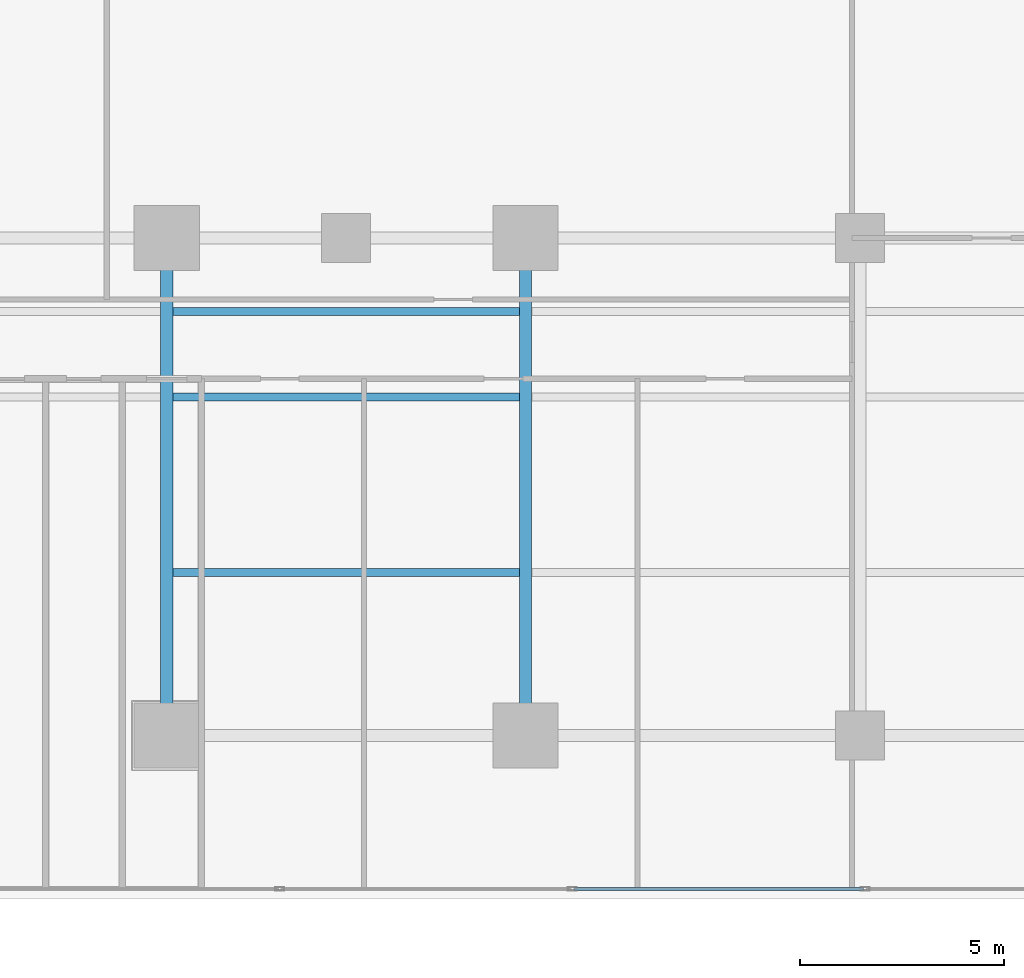
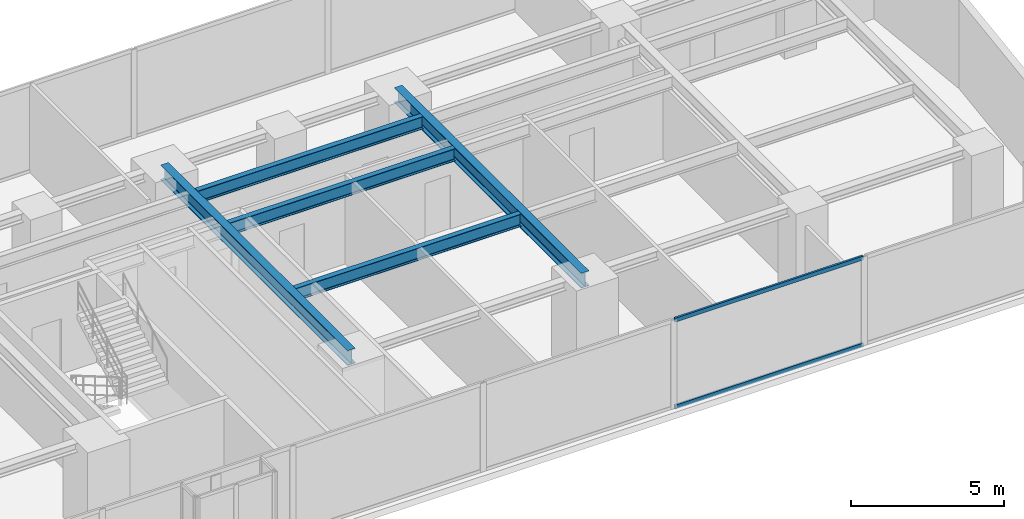
# One storey, part 10 of 27: 5 beams, 2 members, 1 element without a shape of its own.
"""IFC4 building model written with IfcOpenShell, lengths in metres."""

from ifc_helpers import new_model, si_unit, direction, frame, origin, origin_with_axes, origin_2d, place, context, subcontext, project, spatial, hollow_rectangle, i_section, extrude, source, transform, mapped, material, layer, layer_set, material_profile, profile_set, type_object, element, aggregate, save


model = new_model("IFC4")

# Units and contexts
model_context = context("Model", 3, precision=1e-05, world=origin(), true_north=direction((0.0, 1.0)))
body_context = subcontext(model_context, "Body", "Model", "MODEL_VIEW")
ifc_project = project(units=[si_unit("LENGTHUNIT", "METRE"), si_unit("AREAUNIT", "SQUARE_METRE"), si_unit("VOLUMEUNIT", "CUBIC_METRE"), si_unit("PLANEANGLEUNIT", "RADIAN"), si_unit("MASSUNIT", "GRAM", prefix="KILO")], contexts=[model_context])

# Site, building, storey
site_placement = place(None, origin())
site = spatial("IfcSite", under=ifc_project, at=site_placement, CompositionType="ELEMENT")
building_placement = place(site_placement, origin())
building = spatial("IfcBuilding", under=site, at=building_placement, Name="Kolvaren Waterfront Exchange", CompositionType="ELEMENT")
storey_placement = place(building_placement, frame((0.0, 0.0, 63.800048828125)))
storey = spatial("IfcBuildingStorey", under=building, at=storey_placement, Name="L16", CompositionType="ELEMENT", Elevation=63.800048828125)

# Beams
ifc_material_1 = material(Name="Steel S355", Category="steel")
ifc_material_profile_1 = material_profile(ifc_material_1, i_section(OverallWidth=0.300048828125, OverallDepth=0.60009765625, WebThickness=0.015380859375, FlangeThickness=0.030029296875, FilletRadius=0.027099609375, at=origin_2d()), Name="HEB600")
ifc_profile_set_1 = profile_set([ifc_material_profile_1], Name="Steel S355")
beam_type_1 = type_object("IfcBeamType", Name="STR-BM-HEB600", PredefinedType="BEAM", material=ifc_profile_set_1)
for number, where, z_axis, x_axis, name in (
    (1, (36.800048828125, 5.199951171875, 3.239990234375), (0.0, 1.0, 0.0), (-1.0, 0.0, 0.0), "L16 east-arm transverse girder X36"),
    (2, (45.60009765625, 5.199951171875, 3.239990234375), (0.0, 1.0, 0.0), (-1.0, 0.0, 0.0), "L16 east-arm transverse girder X45"),
):
    element("IfcBeam", number, at=place(storey_placement, frame(where, z_axis=z_axis, x_axis=x_axis)), inside=storey, type_object=beam_type_1, Name=name, PredefinedType="BEAM", context=body_context, shape_type="SweptSolid", body=[
        extrude(i_section(OverallWidth=0.300048828125, OverallDepth=0.60009765625, WebThickness=0.015380859375, FlangeThickness=0.030029296875, FilletRadius=0.027099609375, at=origin_2d()), origin(), (0.0, 0.0, 1.0), 12.199951171875),
    ])
ifc_material_profile_2 = material_profile(ifc_material_1, i_section(OverallWidth=0.199951171875, OverallDepth=0.5, WebThickness=0.01025390625, FlangeThickness=0.01611328125, FilletRadius=0.02099609375, at=origin_2d()), Name="IPE500")
ifc_profile_set_2 = profile_set([ifc_material_profile_2], Name="Steel S355")
beam_type_2 = type_object("IfcBeamType", Name="STR-BM-IPE500", PredefinedType="JOIST", material=ifc_profile_set_2)
for number, where, z_axis, x_axis, name in (
    (3, (36.951904296875, 13.5, 3.2900390625), (1.0, 0.0, 0.0), (0.0, 1.0, 0.0), "L16 east-arm composite joist 3A"),
    (4, (36.951904296875, 15.60009765625, 3.2900390625), (1.0, 0.0, 0.0), (0.0, 1.0, 0.0), "L16 east-arm composite joist 3C"),
    (5, (36.951904296875, 9.199951171875, 3.2900390625), (1.0, 0.0, 0.0), (0.0, 1.0, 0.0), "L16 east-arm composite joist 3B"),
):
    element("IfcBeam", number, at=place(storey_placement, frame(where, z_axis=z_axis, x_axis=x_axis)), inside=storey, type_object=beam_type_2, Name=name, PredefinedType="JOIST", context=body_context, shape_type="SweptSolid", body=[
        extrude(i_section(OverallWidth=0.199951171875, OverallDepth=0.5, WebThickness=0.01025390625, FlangeThickness=0.01611328125, FilletRadius=0.02099609375, at=origin_2d()), origin(), (0.0, 0.0, 1.0), 8.49609375),
    ])

# Curtain wall, members
ifc_material_2 = material(Name="Anodised bronze aluminium 6063-T6", Category="aluminium")
ifc_layer = layer(ifc_material_2, 0.219970703125, Name="Anodised bronze aluminium 6063-T6")
ifc_layer_set = layer_set([ifc_layer], Name="Anodised bronze aluminium 6063-T6")
curtain_wall_type = type_object("IfcCurtainWallType", Name="ARC-CW-SYS1", PredefinedType="USERDEFINED", material=ifc_layer_set)
curtain_wall_placement = place(storey_placement, origin())
curtain_wall = element("IfcCurtainWall", 6, at=curtain_wall_placement, inside=storey, type_object=curtain_wall_type, Name="L16 stick curtain wall CW1 (CW-L16-S)", ObjectType="STICK CURTAIN WALL", PredefinedType="USERDEFINED")
ifc_material_3 = material(Name="Anodised aluminium 6063-T6", Category="aluminium")
ifc_material_profile_3 = material_profile(ifc_material_3, hollow_rectangle(XDim=0.074951171875, YDim=0.159912109375, WallThickness=0.00439453125, at=origin_2d()), Name="ALU-TRN-160x75x4.5")
ifc_profile_set_3 = profile_set([ifc_material_profile_3], Name="Anodised aluminium 6063-T6")
member_type = type_object("IfcMemberType", Name="ARC-CWT-160", PredefinedType="USERDEFINED", material=ifc_profile_set_3)
shared_shape = source(origin_with_axes(), body_context, "Body", "SweptSolid", [
    extrude(hollow_rectangle(XDim=0.074951171875, YDim=0.159912109375, WallThickness=0.00439453125, at=origin_2d()), origin(), (0.0, 0.0, 1.0), 7.094970703125),
])
member_1_placement = place(storey_placement, frame((46.7900390625, 1.43994140625, 0.037353515625), z_axis=(1.0, 0.0, 0.0), x_axis=(0.0, 1.0, 0.0)))
member_1 = element("IfcMember", 7, at=member_1_placement, type_object=member_type, Name="CW1 transom 7.1", ObjectType="TRANSOM", PredefinedType="USERDEFINED", context=body_context, shape_type="MappedRepresentation", body=[
    mapped(shared_shape, transform((0.0, 0.0, 0.0), x_axis=(1.0, 0.0, 0.0), y_axis=(0.0, 1.0, 0.0), z_axis=(0.0, 0.0, 1.0), scale=1.0)),
])
member_2_placement = place(storey_placement, frame((46.7900390625, 1.43994140625, 3.50244140625), z_axis=(1.0, 0.0, 0.0), x_axis=(0.0, 1.0, 0.0)))
member_2 = element("IfcMember", 8, at=member_2_placement, type_object=member_type, Name="CW1 transom 7.2", ObjectType="TRANSOM", PredefinedType="USERDEFINED", context=body_context, shape_type="MappedRepresentation", body=[
    mapped(shared_shape, transform((0.0, 0.0, 0.0), x_axis=(1.0, 0.0, 0.0), y_axis=(0.0, 1.0, 0.0), z_axis=(0.0, 0.0, 1.0), scale=1.0)),
])
aggregate(curtain_wall, [member_1, member_2])

save(model, "model.ifc")
